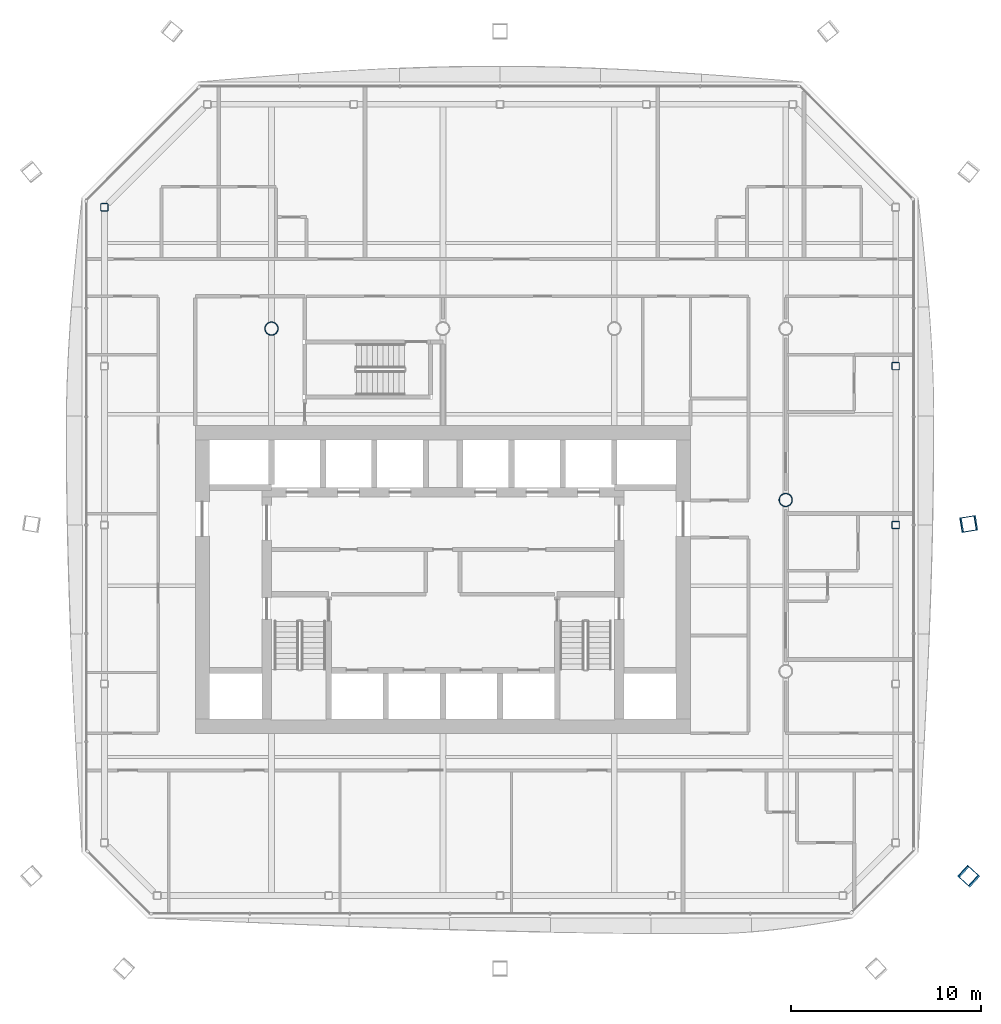
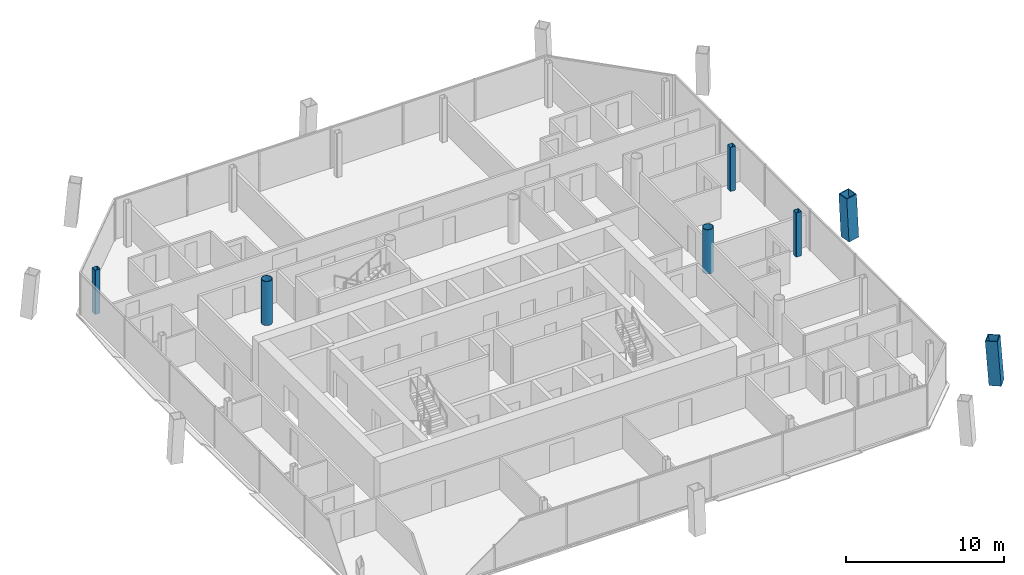
# One storey, part 2 of 18: 7 columns.
"""IFC4 building model written with IfcOpenShell, lengths in metres."""

from ifc_helpers import new_model, si_unit, direction, frame, origin, origin_2d, place, context, subcontext, project, spatial, hollow_rectangle, hollow_circle, extrude, material, material_profile, profile_set, type_object, element, save


model = new_model("IFC4")

# Units and contexts
model_context = context("Model", 3, precision=1e-05, world=origin(), true_north=direction((0.0, 1.0)))
body_context = subcontext(model_context, "Body", "Model", "MODEL_VIEW")
ifc_project = project(units=[si_unit("LENGTHUNIT", "METRE"), si_unit("AREAUNIT", "SQUARE_METRE"), si_unit("VOLUMEUNIT", "CUBIC_METRE"), si_unit("PLANEANGLEUNIT", "RADIAN"), si_unit("MASSUNIT", "GRAM", prefix="KILO")], contexts=[model_context])

# Site, building, storey
site_placement = place(None, origin())
site = spatial("IfcSite", under=ifc_project, at=site_placement, CompositionType="ELEMENT")
building_placement = place(site_placement, origin())
building = spatial("IfcBuilding", under=site, at=building_placement, Name="Tskaro Facet Tower", CompositionType="ELEMENT")
storey_placement = place(building_placement, frame((0.0, 0.0, 155.5)))
storey = spatial("IfcBuildingStorey", under=building, at=storey_placement, Name="L38", CompositionType="ELEMENT", Elevation=155.5)

# Columns
ifc_material_1 = material(Name="Steel S460M", Category="steel")
ifc_material_profile_1 = material_profile(ifc_material_1, hollow_rectangle(XDim=0.800048828125, YDim=0.800048828125, WallThickness=0.050048828125, at=origin_2d()), Name="BOX 800x800x50")
ifc_profile_set_1 = profile_set([ifc_material_profile_1], Name="Steel S460M")
column_type_1 = type_object("IfcColumnType", Name="BOX 800x800x50 mega column", PredefinedType="COLUMN", material=ifc_profile_set_1)
column_1_placement = place(storey_placement, frame((27.64111328125, -19.783935546875, 0.0), z_axis=(-0.053427944517, 0.048987552346, 0.997369377142), x_axis=(-0.675814105711, -0.737072109445, 0.0)))
element("IfcColumn", 1, at=column_1_placement, inside=storey, type_object=column_type_1, Name="BOX 800x800x50 MC04/3", PredefinedType="COLUMN", context=body_context, shape_type="SweptSolid", body=[
    extrude(hollow_rectangle(XDim=0.800048828125, YDim=0.800048828125, WallThickness=0.050048828125, at=origin_2d()), origin(), (0.0, 0.0, 1.0), 3.408935546875),
])
column_2_placement = place(storey_placement, frame((27.64111328125, -1.256103515625, 0.0), z_axis=(-0.053490121079, -0.008747714171, 0.998530061863), x_axis=(0.161394864897, -0.986889911583, 0.0)))
element("IfcColumn", 2, at=column_2_placement, inside=storey, type_object=column_type_1, Name="BOX 800x800x50 MC05/3", PredefinedType="COLUMN", context=body_context, shape_type="SweptSolid", body=[
    extrude(hollow_rectangle(XDim=0.800048828125, YDim=0.800048828125, WallThickness=0.050048828125, at=origin_2d()), origin(), (0.0, 0.0, 1.0), 3.405029296875),
])
ifc_material_2 = material(Name="Steel S355J2H", Category="steel")
ifc_material_profile_2 = material_profile(ifc_material_2, hollow_circle(Radius=0.35546875, WallThickness=0.031982421875, at=origin_2d()), Name="CHS 711x32")
ifc_profile_set_2 = profile_set([ifc_material_profile_2], Name="Steel S355J2H")
column_type_2 = type_object("IfcColumnType", Name="CHS 711x32 interior column", PredefinedType="COLUMN", material=ifc_profile_set_2)
for number, where, z_axis, x_axis, name in (
    (3, (-9.0, 9.0, 0.0), (0.0, 0.0, 1.0), (1.0, 0.0, 0.0), "CHS 711x32 C3E/3"),
    (4, (18.0, 0.0, 0.0), (0.0, 0.0, 1.0), (1.0, 0.0, 0.0), "CHS 711x32 C6D/3"),
):
    element("IfcColumn", number, at=place(storey_placement, frame(where, z_axis=z_axis, x_axis=x_axis)), inside=storey, type_object=column_type_2, Name=name, PredefinedType="COLUMN", context=body_context, shape_type="SweptSolid", body=[
        extrude(hollow_circle(Radius=0.35546875, WallThickness=0.031982421875, at=origin_2d()), origin(), (0.0, 0.0, 1.0), 3.39990234375),
    ])
ifc_material_profile_3 = material_profile(ifc_material_2, hollow_rectangle(XDim=0.39990234375, YDim=0.39990234375, WallThickness=0.02001953125, InnerFilletRadius=0.030029296875, OuterFilletRadius=0.050048828125, at=origin_2d()), Name="SHS 400x400x20")
ifc_profile_set_3 = profile_set([ifc_material_profile_3], Name="Steel S355J2H")
column_type_3 = type_object("IfcColumnType", Name="SHS 400x400x20 ring column", PredefinedType="COLUMN", material=ifc_profile_set_3)
for number, where, z_axis, x_axis, name in (
    (5, (23.77392578125, -1.31591796875, 0.0), (0.0, 0.0, 1.0), (1.0, 0.0, 0.0), "SHS 400x400x20 RE-3/3"),
    (6, (23.77392578125, 7.02587890625, 0.0), (0.0, 0.0, 1.0), (1.0, 0.0, 0.0), "SHS 400x400x20 RE-4/3"),
    (7, (-17.77392578125, 15.367919921875, 0.0), (0.0, 0.0, 1.0), (1.0, 0.0, 0.0), "SHS 400x400x20 RW-1/3"),
):
    element("IfcColumn", number, at=place(storey_placement, frame(where, z_axis=z_axis, x_axis=x_axis)), inside=storey, type_object=column_type_3, Name=name, PredefinedType="COLUMN", context=body_context, shape_type="SweptSolid", body=[
        extrude(hollow_rectangle(XDim=0.39990234375, YDim=0.39990234375, WallThickness=0.02001953125, InnerFilletRadius=0.030029296875, OuterFilletRadius=0.050048828125, at=origin_2d()), origin(), (0.0, 0.0, 1.0), 3.39990234375),
    ])

save(model, "model.ifc")
